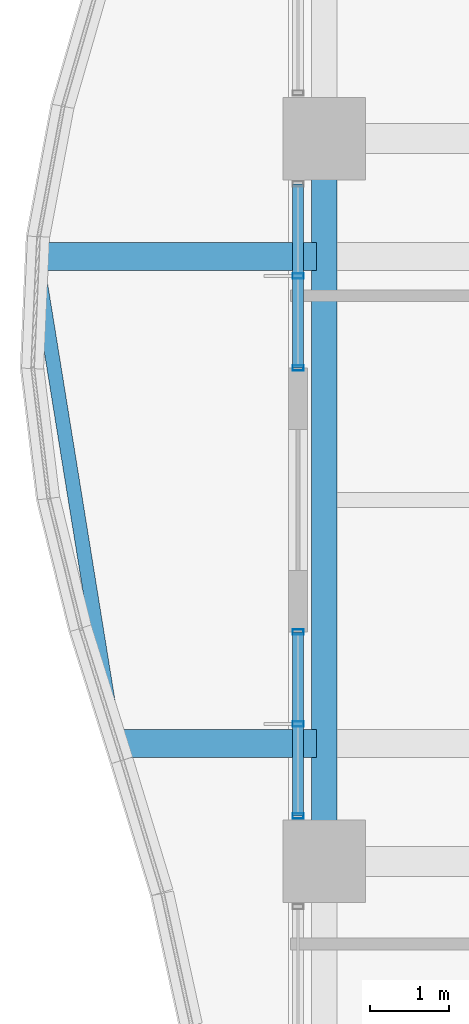
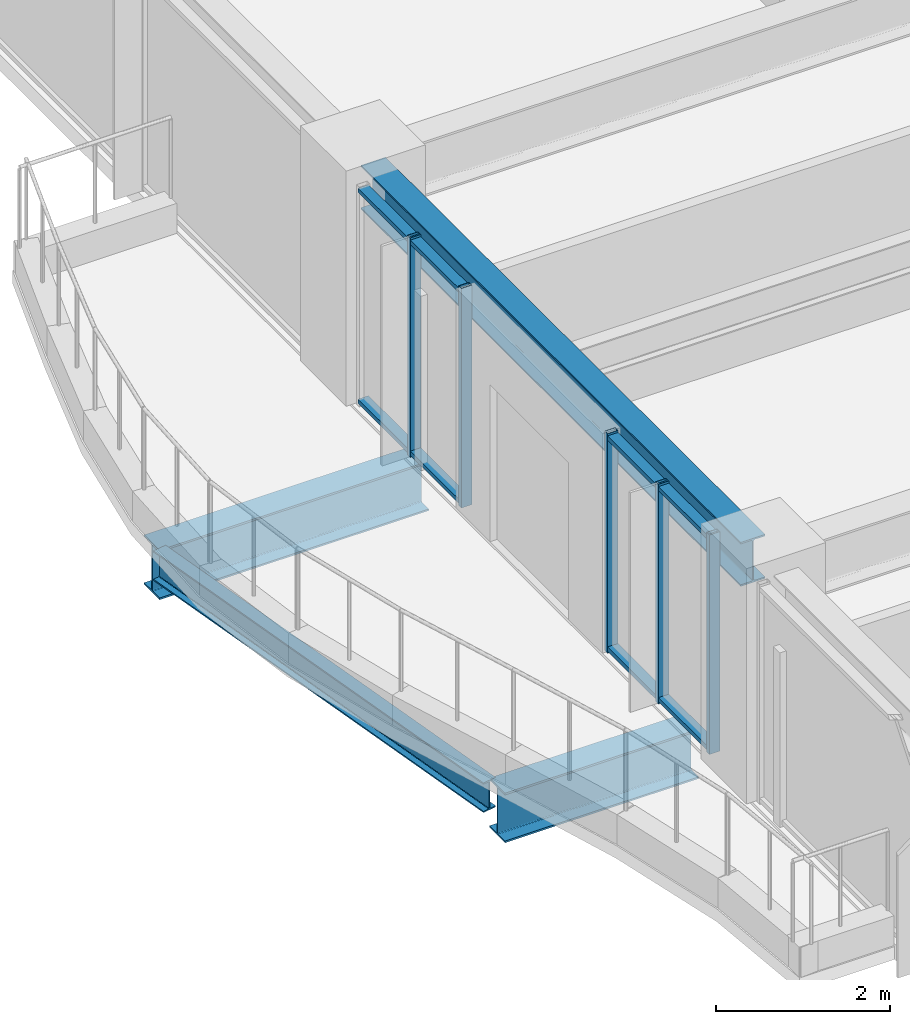
# One storey, part 8 of 36: 9 members, 4 beams, 2 elements without a shape of their own.
"""IFC4 building model written with IfcOpenShell, lengths in metres."""

import ifcopenshell
import ifcopenshell.guid

model = None  # the IFC model being written
_history = None  # IfcOwnerHistory: only IFC2X3 demands one
_inside = {}  # id of a spatial element -> (the spatial element, [elements in it])
_under = {}  # id of a project, library or spatial element -> (it, [spatial elements below it])
_declared = {}  # id of a project -> (the project, [libraries it declares])
_typed = {}  # id of a type object -> (the type object, [elements of that type])
_made_of = {}  # id of a material, layer set ... -> (it, [elements and type objects made of it])


def new_model(schema):
    """Start an empty IFC model of exactly this schema.

    Asked for "IFC4X3", IfcOpenShell would pick the latest addendum, in which some entities
    have other attributes; the version numbers below select the first issue.
    IFC2X3 requires an IfcOwnerHistory on every rooted entity: one is made here for all.
    """
    global model, _history
    if schema == "IFC4X3":
        model = ifcopenshell.file(schema_version=(4, 3, 0, 0))
    else:
        model = ifcopenshell.file(schema=schema)
    _inside.clear()
    _under.clear()
    _declared.clear()
    _typed.clear()
    _made_of.clear()
    _history = None
    if model.schema == "IFC2X3":
        org = make("IfcOrganization", Name="unknown")
        user = make(
            "IfcPersonAndOrganization",
            ThePerson=make("IfcPerson", FamilyName="unknown"),
            TheOrganization=org,
        )
        app = make(
            "IfcApplication",
            ApplicationDeveloper=org,
            Version="unknown",
            ApplicationFullName="unknown",
            ApplicationIdentifier="unknown",
        )
        _history = make(
            "IfcOwnerHistory",
            OwningUser=user,
            OwningApplication=app,
            ChangeAction="ADDED",
            CreationDate=0,
        )
    return model


def make(cls, **values):
    """One entity of the class cls with the attributes given. An attribute that is None is left unset."""
    return model.create_entity(
        cls, **{name: value for name, value in values.items() if value is not None}
    )


def rooted(cls, **values):
    """An entity with a GlobalId (a new one), such as an element, a storey or a relation."""
    return make(cls, GlobalId=ifcopenshell.guid.new(), OwnerHistory=_history, **values)


def si_unit(unit_type, name, prefix=None):
    """IfcSIUnit, for example si_unit("LENGTHUNIT", "METRE", prefix="MILLI")."""
    return make("IfcSIUnit", UnitType=unit_type, Prefix=prefix, Name=name)


def assignment(units):
    """IfcUnitAssignment: the units of a project."""
    return None if units is None else make("IfcUnitAssignment", Units=units)


def point(xyz):
    """IfcCartesianPoint."""
    return None if xyz is None else make("IfcCartesianPoint", Coordinates=xyz)


def direction(xyz):
    """IfcDirection."""
    return None if xyz is None else make("IfcDirection", DirectionRatios=xyz)


def frame(location, z_axis=None, x_axis=None):
    """IfcAxis2Placement3D, a coordinate frame: its origin and axes. An axis left out is left unset."""
    return make(
        "IfcAxis2Placement3D",
        Location=point(location),
        Axis=direction(z_axis),
        RefDirection=direction(x_axis),
    )


def frame_2d(location, x_axis=None):
    """IfcAxis2Placement2D, a coordinate frame in the plane: its origin and x axis."""
    return make(
        "IfcAxis2Placement2D", Location=point(location), RefDirection=direction(x_axis)
    )


def origin():
    """The frame at (0, 0, 0) with its axes left unset."""
    return frame((0.0, 0.0, 0.0))


def origin_2d():
    """The frame at (0, 0) in the plane with its x axis left unset."""
    return frame_2d((0.0, 0.0))


def place(relative_to, where):
    """IfcLocalPlacement: puts the frame where relative to a parent placement (None: the world)."""
    return make(
        "IfcLocalPlacement", PlacementRelTo=relative_to, RelativePlacement=where
    )


def context(
    kind, dimensions, precision=None, world=None, true_north=None, identifier=None
):
    """IfcGeometricRepresentationContext, for example the 3D "Model" context."""
    return make(
        "IfcGeometricRepresentationContext",
        ContextIdentifier=identifier,
        ContextType=kind,
        CoordinateSpaceDimension=dimensions,
        Precision=precision,
        WorldCoordinateSystem=world,
        TrueNorth=true_north,
    )


def subcontext(parent, identifier, kind, view, scale=None):
    """IfcGeometricRepresentationSubContext, for example "Body" below "Model"."""
    return make(
        "IfcGeometricRepresentationSubContext",
        ContextIdentifier=identifier,
        ContextType=kind,
        ParentContext=parent,
        TargetScale=scale,
        TargetView=view,
    )


def project(units=None, contexts=None):
    """IfcProject with its units and contexts."""
    return rooted(
        "IfcProject",
        Name="project",
        RepresentationContexts=contexts,
        UnitsInContext=assignment(units),
    )


def spatial(cls, under=None, at=None, **own):
    """A site, building, storey or space (cls), placed at a placement, below another one or the project."""
    s = rooted(cls, ObjectPlacement=at, **own)
    if under is not None:
        _under.setdefault(under.id(), (under, []))[1].append(s)
    return s


def profile(cls, at=None, kind="AREA", **sizes):
    """A parametric profile (cls). Its sizes go by their IFC names, for example OverallWidth=200.0."""
    return make(cls, ProfileType=kind, Position=at, **sizes)


def hollow_rectangle(**sizes):
    """IfcRectangleHollowProfileDef."""
    return profile("IfcRectangleHollowProfileDef", **sizes)


def i_section(**sizes):
    """IfcIShapeProfileDef."""
    return profile("IfcIShapeProfileDef", **sizes)


def extrude(swept, where, along, depth):
    """IfcExtrudedAreaSolid: the profile swept, set in the frame where, extruded along a direction by depth."""
    return make(
        "IfcExtrudedAreaSolid",
        SweptArea=swept,
        Position=where,
        ExtrudedDirection=direction(along),
        Depth=depth,
    )


def shape(context_of_items, identifier, shape_type, items):
    """IfcShapeRepresentation: the items that make up one representation, for example the "Body"."""
    return make(
        "IfcShapeRepresentation",
        ContextOfItems=context_of_items,
        RepresentationIdentifier=identifier,
        RepresentationType=shape_type,
        Items=items,
    )


def material(Name=None, Category=None):
    """IfcMaterial."""
    return make("IfcMaterial", Name=Name, Category=Category)


def material_profile(
    of_material, cross_section, Name=None, Category=None, Priority=None
):
    """IfcMaterialProfile: a cross section and its material."""
    return make(
        "IfcMaterialProfile",
        Name=Name,
        Material=of_material,
        Profile=cross_section,
        Priority=Priority,
        Category=Category,
    )


def profile_set(profiles, Name=None, composite=None):
    """IfcMaterialProfileSet."""
    return make(
        "IfcMaterialProfileSet",
        Name=Name,
        MaterialProfiles=profiles,
        CompositeProfile=composite,
    )


def made_of(thing, what):
    """Note that an element or type object is made of a material, layer set ...; save() writes the relation."""
    if what is not None:
        _made_of.setdefault(what.id(), (what, []))[1].append(thing)
    return thing


def type_object(cls, material=None, **own):
    """A type object (cls), such as IfcWallType, which elements share."""
    return made_of(rooted(cls, **own), material)


def element(
    cls,
    number,
    at=None,
    inside=None,
    cuts=None,
    type_object=None,
    material=None,
    context=None,
    identifier="Body",
    shape_type=None,
    held_by="IfcProductDefinitionShape",
    body=None,
    shapes=None,
    **own,
):
    """One element of the class cls, such as IfcWall. Its Tag is "e" and its number.

    at: its placement. inside: the storey or other place that contains it. cuts: it is an
    opening in that element (IfcRelVoidsElement). A single representation is given by context,
    identifier, shape_type and body (its items); several are given by shapes. held_by: the class
    of the entity that holds the representations. save() writes the other relations.
    """
    e = rooted(cls, Tag="e%d" % number, ObjectPlacement=at, **own)
    if body is not None:
        shapes = [shape(context, identifier, shape_type, body)]
    if shapes is not None:
        e.Representation = make(held_by, Representations=shapes)
    if inside is not None:
        _inside.setdefault(inside.id(), (inside, []))[1].append(e)
    if cuts is not None:
        rooted(
            "IfcRelVoidsElement", RelatingBuildingElement=cuts, RelatedOpeningElement=e
        )
    if type_object is not None:
        _typed.setdefault(type_object.id(), (type_object, []))[1].append(e)
    return made_of(e, material)


def aggregate(whole, parts):
    """IfcRelAggregates: a whole, such as a stair, and the parts it consists of."""
    return rooted("IfcRelAggregates", RelatingObject=whole, RelatedObjects=parts)


def save(model, path):
    """Write the relations noted so far, then the file.

    IfcRelAggregates (storeys below a building ...), IfcRelContainedInSpatialStructure (elements
    in a storey), IfcRelDefinesByType, IfcRelAssociatesMaterial and IfcRelDeclares: one each for
    every whole, place, type object, material and project.
    """
    for whole, parts in _under.values():
        aggregate(whole, parts)
    for where, things in _inside.values():
        rooted(
            "IfcRelContainedInSpatialStructure",
            RelatedElements=things,
            RelatingStructure=where,
        )
    for kind, things in _typed.values():
        rooted("IfcRelDefinesByType", RelatedObjects=things, RelatingType=kind)
    for what, things in _made_of.values():
        rooted("IfcRelAssociatesMaterial", RelatedObjects=things, RelatingMaterial=what)
    for by, libraries in _declared.values():
        rooted("IfcRelDeclares", RelatingContext=by, RelatedDefinitions=libraries)
    model.write(path)


model = new_model("IFC4")

# Units and contexts
model_context = context("Model", 3, precision=1e-05, world=origin(), true_north=direction((0.0, 1.0)))
body_context = subcontext(model_context, "Body", "Model", "MODEL_VIEW")
ifc_project = project(units=[si_unit("LENGTHUNIT", "METRE"), si_unit("AREAUNIT", "SQUARE_METRE"), si_unit("VOLUMEUNIT", "CUBIC_METRE"), si_unit("PLANEANGLEUNIT", "RADIAN"), si_unit("MASSUNIT", "GRAM", prefix="KILO")], contexts=[model_context])

# Site, building, storey
site_placement = place(None, origin())
site = spatial("IfcSite", under=ifc_project, at=site_placement, CompositionType="ELEMENT")
building_placement = place(site_placement, origin())
building = spatial("IfcBuilding", under=site, at=building_placement, Name="Kolvaren Belvedere", CompositionType="ELEMENT")
storey_placement = place(building_placement, frame((0.0, 0.0, 95.300048828125)))
storey = spatial("IfcBuildingStorey", under=building, at=storey_placement, Name="L27", CompositionType="ELEMENT", Elevation=95.300048828125)

# Beams
ifc_material_1 = material(Name="Structural steel ASTM A992 Grade 50", Category="steel")
ifc_material_profile_1 = material_profile(ifc_material_1, i_section(OverallWidth=0.35498046875, OverallDepth=0.696044921875, WebThickness=0.015380859375, FlangeThickness=0.02490234375, FilletRadius=0.02197265625, at=origin_2d()), Name="W27X146")
ifc_profile_set_1 = profile_set([ifc_material_profile_1], Name="Structural steel ASTM A992 Grade 50")
beam_type_1 = type_object("IfcBeamType", Name="BM-CANT-BAL", PredefinedType="BEAM", material=ifc_profile_set_1)
beam_1_placement = place(storey_placement, frame((-20.044921875, -3.10009765625, -0.568115234375), z_axis=(-1.0, 0.0, 0.0), x_axis=(0.0, -1.0, 0.0)))
element("IfcBeam", 1, at=beam_1_placement, inside=storey, type_object=beam_type_1, Name="L27 Planted Balcony Cantilever BAL-W-1", PredefinedType="BEAM", context=body_context, shape_type="SweptSolid", body=[
    extrude(i_section(OverallWidth=0.35498046875, OverallDepth=0.696044921875, WebThickness=0.015380859375, FlangeThickness=0.02490234375, FilletRadius=0.02197265625, at=origin_2d()), origin(), (0.0, 0.0, 1.0), 2.56884765625),
])
beam_2_placement = place(storey_placement, frame((-20.044921875, 3.10009765625, -0.568115234375), z_axis=(-1.0, 0.0, 0.0), x_axis=(0.0, -1.0, 0.0)))
element("IfcBeam", 2, at=beam_2_placement, inside=storey, type_object=beam_type_1, Name="L27 Planted Balcony Cantilever BAL-W-2", PredefinedType="BEAM", context=body_context, shape_type="SweptSolid", body=[
    extrude(i_section(OverallWidth=0.35498046875, OverallDepth=0.696044921875, WebThickness=0.015380859375, FlangeThickness=0.02490234375, FilletRadius=0.02197265625, at=origin_2d()), origin(), (0.0, 0.0, 1.0), 3.571044921875),
])
ifc_material_2 = material(Name="Structural steel ASTM A992 Grade 50", Category="steel")
ifc_material_profile_2 = material_profile(ifc_material_2, i_section(OverallWidth=0.180908203125, OverallDepth=0.4169921875, WebThickness=0.010986328125, FlangeThickness=0.018310546875, FilletRadius=0.013916015625, at=origin_2d()), Name="W16X57")
ifc_profile_set_2 = profile_set([ifc_material_profile_2], Name="Structural steel ASTM A992 Grade 50")
beam_type_2 = type_object("IfcBeamType", Name="BM-EDGE-W16X57", PredefinedType="BEAM", material=ifc_profile_set_2)
beam_3_placement = place(storey_placement, frame((-22.635986328125, -2.9619140625, -0.428466796875), z_axis=(-0.159567567211, 0.987187009383, 0.0), x_axis=(-0.987187009383, -0.159567567211, 0.0)))
element("IfcBeam", 3, at=beam_3_placement, inside=storey, type_object=beam_type_2, Name="L27 Balcony Tip Header Beam BAL-W", PredefinedType="BEAM", context=body_context, shape_type="SweptSolid", body=[
    extrude(i_section(OverallWidth=0.180908203125, OverallDepth=0.4169921875, WebThickness=0.010986328125, FlangeThickness=0.018310546875, FilletRadius=0.013916015625, at=origin_2d()), origin(), (0.0, 0.0, 1.0), 6.000732421875),
])
ifc_material_3 = material(Name="Structural steel ASTM A992 Grade 50", Category="steel")
ifc_material_profile_3 = material_profile(ifc_material_3, i_section(OverallWidth=0.324951171875, OverallDepth=0.615966796875, WebThickness=0.013916015625, FlangeThickness=0.021484375, FilletRadius=0.02001953125, at=origin_2d()), Name="W24X117")
ifc_profile_set_3 = profile_set([ifc_material_profile_3], Name="Structural steel ASTM A992 Grade 50")
beam_type_3 = type_object("IfcBeamType", Name="BM-SPAN-W24X117", PredefinedType="SPANDREL", material=ifc_profile_set_3)
beam_4_placement = place(storey_placement, frame((-19.949951171875, 4.36376953125, 2.77197265625), z_axis=(0.0, -1.0, 0.0), x_axis=(1.0, 0.0, 0.0)))
element("IfcBeam", 4, at=beam_4_placement, inside=storey, type_object=beam_type_3, Name="L27 Perimeter Spandrel W3-W2", PredefinedType="SPANDREL", context=body_context, shape_type="SweptSolid", body=[
    extrude(i_section(OverallWidth=0.324951171875, OverallDepth=0.615966796875, WebThickness=0.013916015625, FlangeThickness=0.021484375, FilletRadius=0.02001953125, at=origin_2d()), origin(), (0.0, 0.0, 1.0), 8.7275390625),
])

# Curtain wall, members
ifc_material_4 = material(Name="Anodised pale-metal aluminium AA 6063-T6", Category="aluminium")
curtain_wall_type = type_object("IfcCurtainWallType", Name="CW-Z2-MID", PredefinedType="NOTDEFINED", material=ifc_material_4)
curtain_wall_1_placement = place(storey_placement, origin())
curtain_wall_1 = element("IfcCurtainWall", 5, at=curtain_wall_1_placement, inside=storey, type_object=curtain_wall_type, Name="L27 Unitised Curtain Wall FCW-L27-W1-B2", PredefinedType="NOTDEFINED")
ifc_material_5 = material(Name="Anodised pale-metal aluminium AA 6063-T6", Category="aluminium")
ifc_material_profile_4 = material_profile(ifc_material_5, hollow_rectangle(XDim=0.06494140625, YDim=0.139892578125, WallThickness=0.00390625, at=origin_2d()), Name="ALU-MUL-140X65")
ifc_profile_set_4 = profile_set([ifc_material_profile_4], Name="Anodised pale-metal aluminium AA 6063-T6")
member_type_1 = type_object("IfcMemberType", Name="CW-MUL-140", PredefinedType="MULLION", material=ifc_profile_set_4)
member_1_placement = place(storey_placement, frame((-20.280029296875, -4.0224609375, 0.0), z_axis=(0.0, 0.0, 1.0), x_axis=(0.0, 1.0, 0.0)))
member_1 = element("IfcMember", 6, at=member_1_placement, type_object=member_type_1, Name="FCW-L27-W1-B2 Unitised Mullion 1", PredefinedType="MULLION", context=body_context, shape_type="SweptSolid", body=[
    extrude(hollow_rectangle(XDim=0.06494140625, YDim=0.139892578125, WallThickness=0.00390625, at=origin_2d()), origin(), (0.0, 0.0, 1.0), 3.079833984375),
])
member_2_placement = place(storey_placement, frame((-20.280029296875, -2.851318359375, 0.0), z_axis=(0.0, 0.0, 1.0), x_axis=(0.0, 1.0, 0.0)))
member_2 = element("IfcMember", 7, at=member_2_placement, type_object=member_type_1, Name="FCW-L27-W1-B2 Unitised Mullion 2", PredefinedType="MULLION", context=body_context, shape_type="SweptSolid", body=[
    extrude(hollow_rectangle(XDim=0.06494140625, YDim=0.139892578125, WallThickness=0.00390625, at=origin_2d()), origin(), (0.0, 0.0, 1.0), 3.079833984375),
])
member_3_placement = place(storey_placement, frame((-20.280029296875, -1.679931640625, 0.0), z_axis=(0.0, 0.0, 1.0), x_axis=(0.0, 1.0, 0.0)))
member_3 = element("IfcMember", 8, at=member_3_placement, type_object=member_type_1, Name="FCW-L27-W1-B2 Unitised Mullion 3", PredefinedType="MULLION", context=body_context, shape_type="SweptSolid", body=[
    extrude(hollow_rectangle(XDim=0.06494140625, YDim=0.139892578125, WallThickness=0.00390625, at=origin_2d()), origin(), (0.0, 0.0, 1.0), 3.079833984375),
])

curtain_wall_2_placement = place(storey_placement, origin())
curtain_wall_2 = element("IfcCurtainWall", 9, at=curtain_wall_2_placement, inside=storey, type_object=curtain_wall_type, Name="L27 Unitised Curtain Wall FCW-L27-W2-B1", PredefinedType="NOTDEFINED")
member_4_placement = place(storey_placement, frame((-20.280029296875, 1.679931640625, 0.0), z_axis=(0.0, 0.0, 1.0), x_axis=(0.0, 1.0, 0.0)))
member_4 = element("IfcMember", 10, at=member_4_placement, type_object=member_type_1, Name="FCW-L27-W2-B1 Unitised Mullion 1", PredefinedType="MULLION", context=body_context, shape_type="SweptSolid", body=[
    extrude(hollow_rectangle(XDim=0.06494140625, YDim=0.139892578125, WallThickness=0.00390625, at=origin_2d()), origin(), (0.0, 0.0, 1.0), 3.079833984375),
])
member_5_placement = place(storey_placement, frame((-20.280029296875, 2.851318359375, 0.0), z_axis=(0.0, 0.0, 1.0), x_axis=(0.0, 1.0, 0.0)))
member_5 = element("IfcMember", 11, at=member_5_placement, type_object=member_type_1, Name="FCW-L27-W2-B1 Unitised Mullion 2", PredefinedType="MULLION", context=body_context, shape_type="SweptSolid", body=[
    extrude(hollow_rectangle(XDim=0.06494140625, YDim=0.139892578125, WallThickness=0.00390625, at=origin_2d()), origin(), (0.0, 0.0, 1.0), 3.079833984375),
])

# Member
ifc_material_6 = material(Name="Anodised pale-metal aluminium AA 6063-T6", Category="aluminium")
ifc_material_profile_5 = material_profile(ifc_material_6, hollow_rectangle(XDim=0.06005859375, YDim=0.139892578125, WallThickness=0.00390625, at=origin_2d()), Name="ALU-TRN-140X60")
ifc_profile_set_5 = profile_set([ifc_material_profile_5], Name="Anodised pale-metal aluminium AA 6063-T6")
member_type_2 = type_object("IfcMemberType", Name="CW-TRN-140", PredefinedType="USERDEFINED", material=ifc_profile_set_5)
member_6_placement = place(storey_placement, frame((-20.280029296875, -4.0224609375, 0.06005859375), z_axis=(0.0, 1.0, 0.0), x_axis=(0.0, 0.0, 1.0)))
member_6 = element("IfcMember", 12, at=member_6_placement, type_object=member_type_2, Name="FCW-L27-W1-B2 Sill Transom", ObjectType="TRANSOM", PredefinedType="USERDEFINED", context=body_context, shape_type="SweptSolid", body=[
    extrude(hollow_rectangle(XDim=0.06005859375, YDim=0.139892578125, WallThickness=0.00390625, at=origin_2d()), origin(), (0.0, 0.0, 1.0), 2.342529296875),
])

member_7_placement = place(storey_placement, frame((-20.280029296875, -4.0224609375, 3.02001953125), z_axis=(0.0, 1.0, 0.0), x_axis=(0.0, 0.0, 1.0)))
member_7 = element("IfcMember", 13, at=member_7_placement, type_object=member_type_2, Name="FCW-L27-W1-B2 Head Transom", ObjectType="TRANSOM", PredefinedType="USERDEFINED", context=body_context, shape_type="SweptSolid", body=[
    extrude(hollow_rectangle(XDim=0.06005859375, YDim=0.139892578125, WallThickness=0.00390625, at=origin_2d()), origin(), (0.0, 0.0, 1.0), 2.342529296875),
])

aggregate(curtain_wall_1, [member_1, member_2, member_3, member_6, member_7])

member_8_placement = place(storey_placement, frame((-20.280029296875, 1.679931640625, 0.06005859375), z_axis=(0.0, 1.0, 0.0), x_axis=(0.0, 0.0, 1.0)))
member_8 = element("IfcMember", 14, at=member_8_placement, type_object=member_type_2, Name="FCW-L27-W2-B1 Sill Transom", ObjectType="TRANSOM", PredefinedType="USERDEFINED", context=body_context, shape_type="SweptSolid", body=[
    extrude(hollow_rectangle(XDim=0.06005859375, YDim=0.139892578125, WallThickness=0.00390625, at=origin_2d()), origin(), (0.0, 0.0, 1.0), 2.342529296875),
])

member_9_placement = place(storey_placement, frame((-20.280029296875, 1.679931640625, 3.02001953125), z_axis=(0.0, 1.0, 0.0), x_axis=(0.0, 0.0, 1.0)))
member_9 = element("IfcMember", 15, at=member_9_placement, type_object=member_type_2, Name="FCW-L27-W2-B1 Head Transom", ObjectType="TRANSOM", PredefinedType="USERDEFINED", context=body_context, shape_type="SweptSolid", body=[
    extrude(hollow_rectangle(XDim=0.06005859375, YDim=0.139892578125, WallThickness=0.00390625, at=origin_2d()), origin(), (0.0, 0.0, 1.0), 2.342529296875),
])

aggregate(curtain_wall_2, [member_4, member_5, member_8, member_9])

save(model, "model.ifc")
